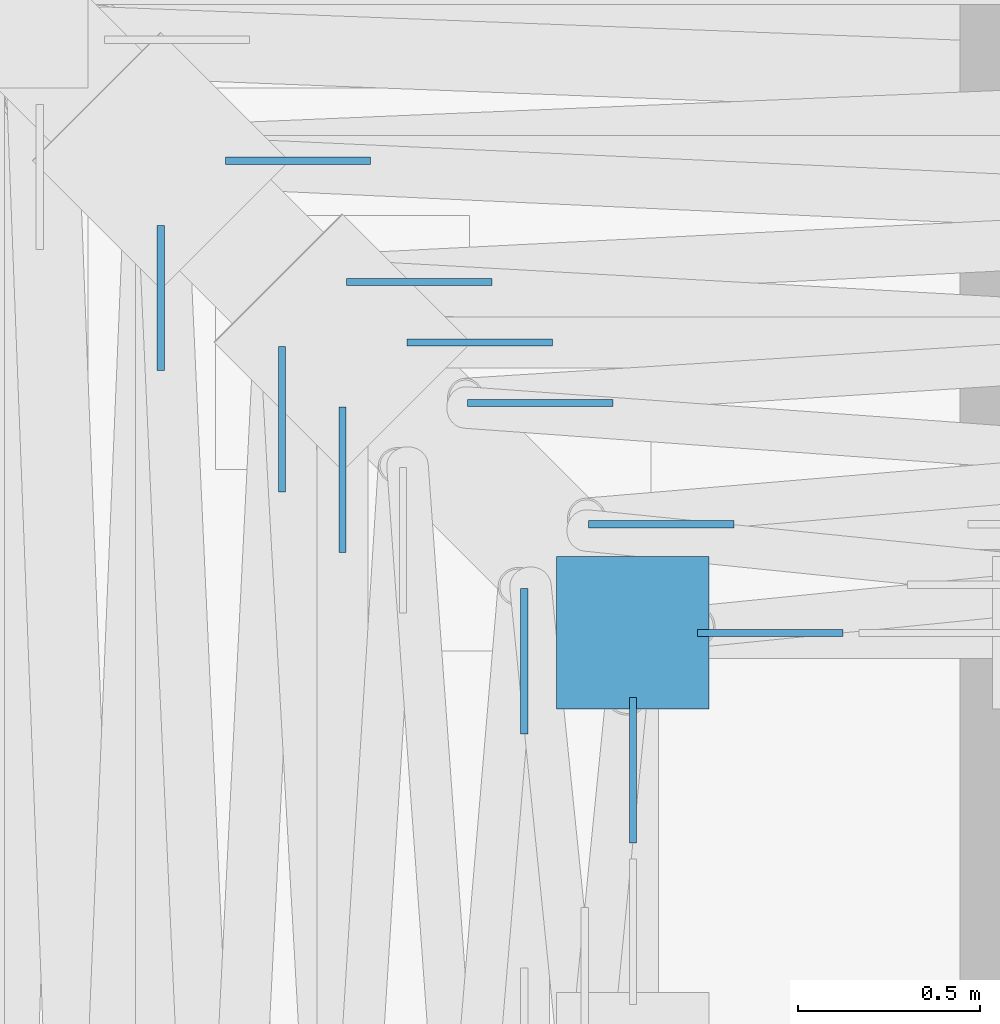
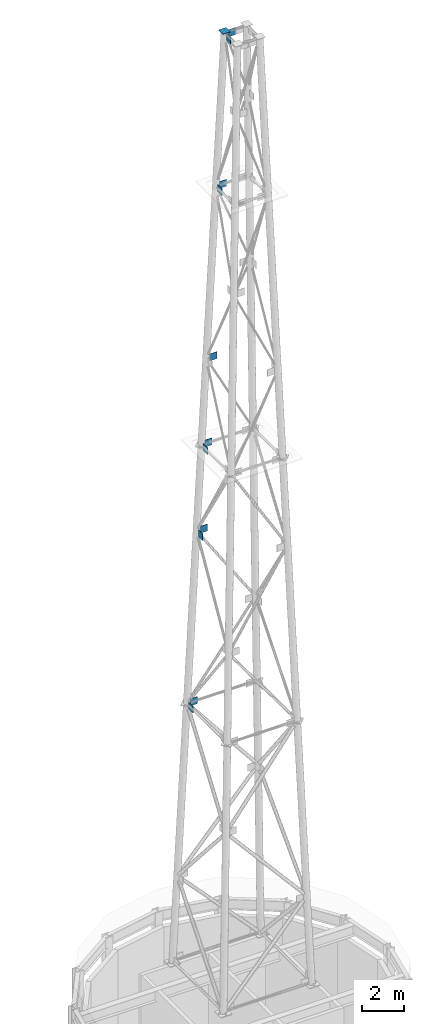
# One storey, part 10 of 15: 12 discrete accessories.
"""IFC4 building model written with IfcOpenShell, lengths in metres."""

from ifc_helpers import new_model, si_unit, direction, frame, origin, origin_2d, place, context, subcontext, project, spatial, rectangle, extrude, material, layer, layer_set, material_profile, profile_set, type_object, element, save


model = new_model("IFC4")

# Units and contexts
model_context = context("Model", 3, precision=1e-05, world=origin(), true_north=direction((0.0, 1.0)))
body_context = subcontext(model_context, "Body", "Model", "MODEL_VIEW")
ifc_project = project(units=[si_unit("LENGTHUNIT", "METRE"), si_unit("AREAUNIT", "SQUARE_METRE"), si_unit("VOLUMEUNIT", "CUBIC_METRE"), si_unit("PLANEANGLEUNIT", "RADIAN"), si_unit("MASSUNIT", "GRAM", prefix="KILO")], contexts=[model_context])

# Site, building, storey
site_placement = place(None, origin())
site = spatial("IfcSite", under=ifc_project, at=site_placement, CompositionType="ELEMENT")
building_placement = place(site_placement, origin())
building = spatial("IfcBuilding", under=site, at=building_placement, Name="Immortelle Media Tower", CompositionType="ELEMENT")
storey_placement = place(building_placement, frame((0.0, 0.0, 308.0)))
storey = spatial("IfcBuildingStorey", under=building, at=storey_placement, Name="Roof", CompositionType="ELEMENT", Elevation=308.0)

# Discrete accessories
ifc_material_1 = material(Name="Structural steel S355J2 plate", Category="steel")
ifc_layer = layer(ifc_material_1, 0.02001953125)
ifc_layer_set = layer_set([ifc_layer], Name="Structural steel S355J2 plate")
discrete_accessory_type_1 = type_object("IfcDiscreteAccessoryType", Name="MAST leg end plate 420 x 420 x 20", PredefinedType="USERDEFINED", material=ifc_layer_set)
discrete_accessory_1_placement = place(storey_placement, frame((11.39990234375, 12.60009765625, 66.97998046875), z_axis=(0.0, 0.0, 1.0), x_axis=(1.0, 0.0, 0.0)))
element("IfcDiscreteAccessory", 1, at=discrete_accessory_1_placement, inside=storey, type_object=discrete_accessory_type_1, Name="MAST leg end plate D", ObjectType="END PLATE", PredefinedType="USERDEFINED", context=body_context, shape_type="SweptSolid", body=[
    extrude(rectangle(XDim=0.419921875, YDim=0.419921875, at=origin_2d()), origin(), (0.0, 0.0, 1.0), 0.02001953125),
])
ifc_material_2 = material(Name="Steel ASTM A572 Gr 50", Category="steel")
ifc_material_profile = material_profile(ifc_material_2, rectangle(XDim=0.02001953125, YDim=0.39990234375, at=origin_2d()), Name="PL 20 x 400")
ifc_profile_set = profile_set([ifc_material_profile], Name="Steel ASTM A572 Gr 50")
discrete_accessory_type_2 = type_object("IfcDiscreteAccessoryType", Name="Node plate GP4 400 x 400 x 20", PredefinedType="USERDEFINED", material=ifc_profile_set)
discrete_accessory_2_placement = place(storey_placement, frame((10.27783203125, 13.89990234375, 27.989990234375), z_axis=(1.0, 0.0, 0.0), x_axis=(0.0, 1.0, 0.0)))
element("IfcDiscreteAccessory", 2, at=discrete_accessory_2_placement, inside=storey, type_object=discrete_accessory_type_2, Name="Node plate GP4, leg D, face 3, node 4", ObjectType="NODE PLATE", PredefinedType="USERDEFINED", context=body_context, shape_type="SweptSolid", body=[
    extrude(rectangle(XDim=0.02001953125, YDim=0.39990234375, at=origin_2d()), origin(), (0.0, 0.0, 1.0), 0.400146484375),
])
for number, where, z_axis, x_axis, name in (
    (3, (10.611328125, 13.56640625, 37.989990234375), (1.0, 0.0, 0.0), (0.0, 1.0, 0.0), "Node plate GP4, leg D, face 3, node 6"),
    (4, (10.778076171875, 13.39990234375, 42.989990234375), (1.0, 0.0, 0.0), (0.0, 1.0, 0.0), "Node plate GP4, leg D, face 3, node 7"),
):
    element("IfcDiscreteAccessory", number, at=place(storey_placement, frame(where, z_axis=z_axis, x_axis=x_axis)), inside=storey, type_object=discrete_accessory_type_2, Name=name, ObjectType="NODE PLATE", PredefinedType="USERDEFINED", context=body_context, shape_type="SweptSolid", body=[
        extrude(rectangle(XDim=0.02001953125, YDim=0.39990234375, at=origin_2d()), origin(), (0.0, 0.0, 1.0), 0.39990234375),
    ])
discrete_accessory_3_placement = place(storey_placement, frame((10.944580078125, 13.233154296875, 47.989990234375), z_axis=(1.0, 0.0, 0.0), x_axis=(0.0, 1.0, 0.0)))
element("IfcDiscreteAccessory", 5, at=discrete_accessory_3_placement, inside=storey, type_object=discrete_accessory_type_2, Name="Node plate GP4, leg D, face 3, node 8", ObjectType="NODE PLATE", PredefinedType="USERDEFINED", context=body_context, shape_type="SweptSolid", body=[
    extrude(rectangle(XDim=0.02001953125, YDim=0.39990234375, at=origin_2d()), origin(), (0.0, 0.0, 1.0), 0.400146484375),
])
for number, where, z_axis, x_axis, name in (
    (6, (11.278076171875, 12.899658203125, 57.989990234375), (1.0, 0.0, 0.0), (0.0, 1.0, 0.0), "Node plate GP4, leg D, face 3, node 10"),
    (7, (11.577880859375, 12.60009765625, 66.780029296875), (1.0, 0.0, 0.0), (0.0, 1.0, 0.0), "Node plate GP4, leg D, face 3, node 12"),
):
    element("IfcDiscreteAccessory", number, at=place(storey_placement, frame(where, z_axis=z_axis, x_axis=x_axis)), inside=storey, type_object=discrete_accessory_type_2, Name=name, ObjectType="NODE PLATE", PredefinedType="USERDEFINED", context=body_context, shape_type="SweptSolid", body=[
        extrude(rectangle(XDim=0.02001953125, YDim=0.39990234375, at=origin_2d()), origin(), (0.0, 0.0, 1.0), 0.39990234375),
    ])
discrete_accessory_4_placement = place(storey_placement, frame((10.10009765625, 13.72216796875, 27.989990234375), z_axis=(0.0, -1.0, 0.0), x_axis=(1.0, 0.0, 0.0)))
element("IfcDiscreteAccessory", 8, at=discrete_accessory_4_placement, inside=storey, type_object=discrete_accessory_type_2, Name="Node plate GP4, leg D, face 4, node 4", ObjectType="NODE PLATE", PredefinedType="USERDEFINED", context=body_context, shape_type="SweptSolid", body=[
    extrude(rectangle(XDim=0.02001953125, YDim=0.39990234375, at=origin_2d()), origin(), (0.0, 0.0, 1.0), 0.400146484375),
])
for number, where, z_axis, x_axis, name in (
    (9, (10.43359375, 13.388671875, 37.989990234375), (0.0, -1.0, 0.0), (1.0, 0.0, 0.0), "Node plate GP4, leg D, face 4, node 6"),
    (10, (10.60009765625, 13.221923828125, 42.989990234375), (0.0, -1.0, 0.0), (1.0, 0.0, 0.0), "Node plate GP4, leg D, face 4, node 7"),
    (11, (11.100341796875, 12.721923828125, 57.989990234375), (0.0, -1.0, 0.0), (1.0, 0.0, 0.0), "Node plate GP4, leg D, face 4, node 10"),
    (12, (11.39990234375, 12.422119140625, 66.780029296875), (0.0, -1.0, 0.0), (1.0, 0.0, 0.0), "Node plate GP4, leg D, face 4, node 12"),
):
    element("IfcDiscreteAccessory", number, at=place(storey_placement, frame(where, z_axis=z_axis, x_axis=x_axis)), inside=storey, type_object=discrete_accessory_type_2, Name=name, ObjectType="NODE PLATE", PredefinedType="USERDEFINED", context=body_context, shape_type="SweptSolid", body=[
        extrude(rectangle(XDim=0.02001953125, YDim=0.39990234375, at=origin_2d()), origin(), (0.0, 0.0, 1.0), 0.39990234375),
    ])

save(model, "model.ifc")
